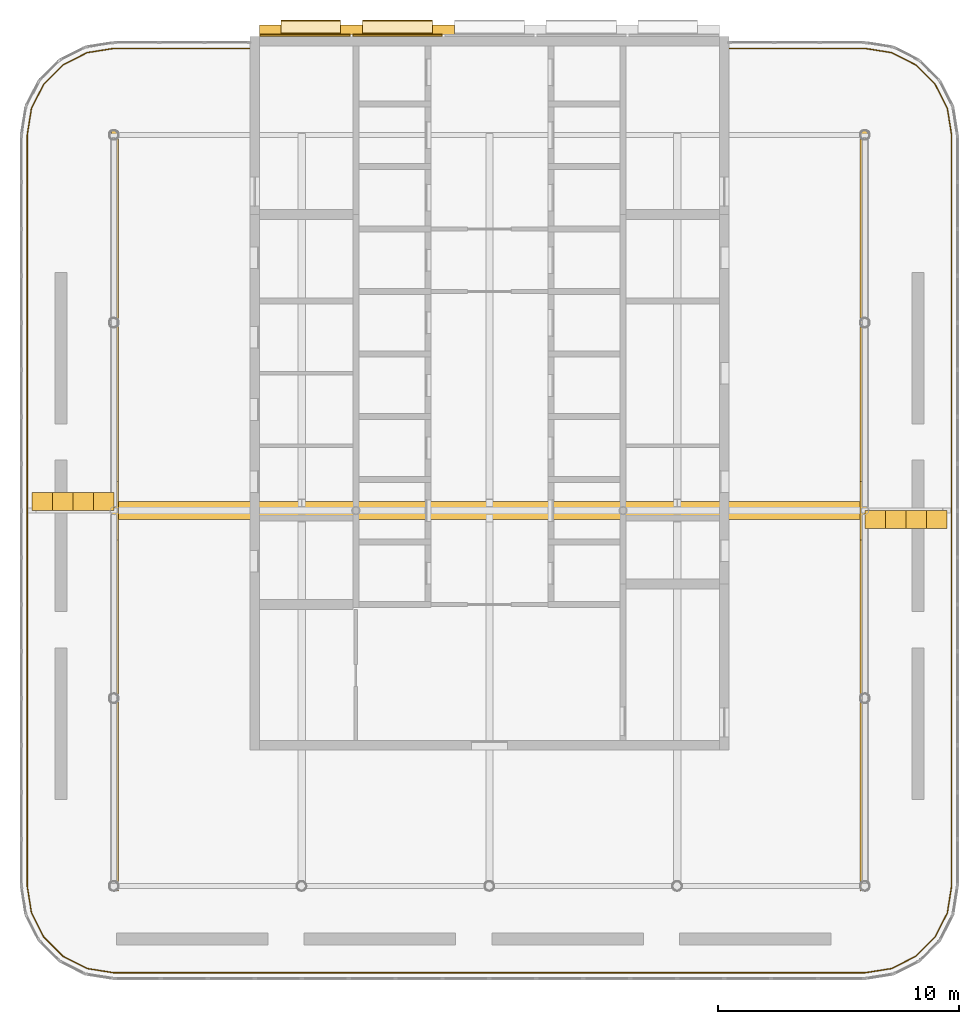
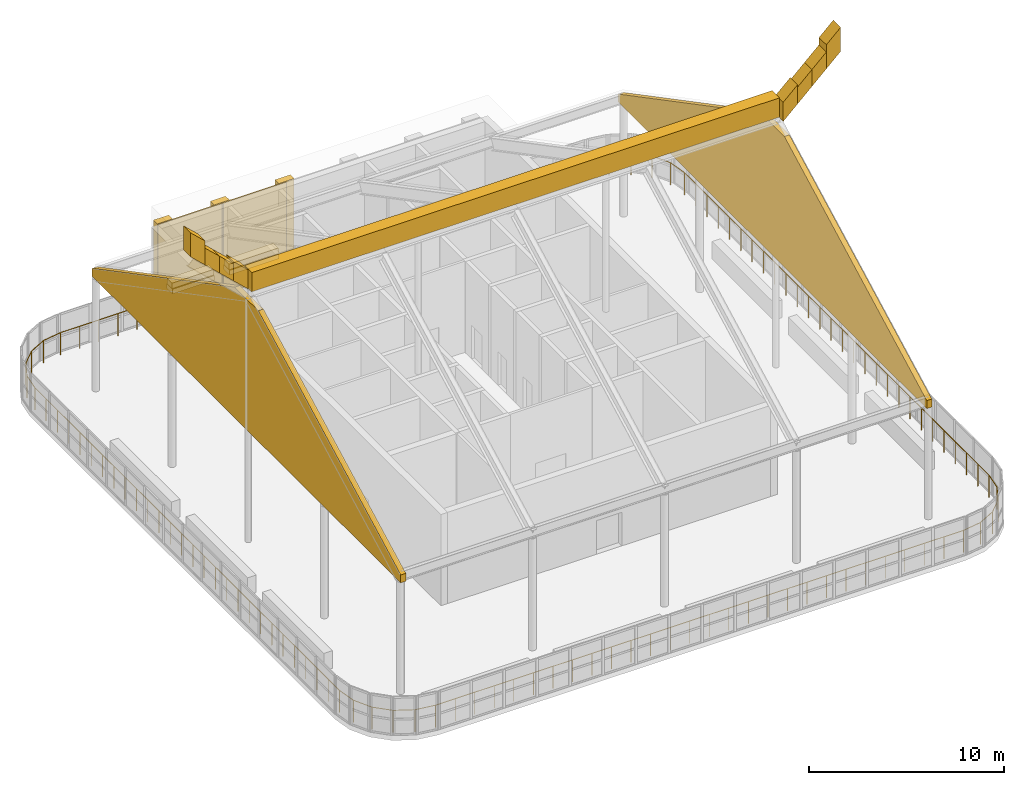
# One storey, part 18 of 19: 20 coverings, 1 railing.
"""IFC4 building model written with IfcOpenShell, lengths in metres."""

from ifc_helpers import new_model, si_unit, direction, frame, origin, origin_2d, place, context, subcontext, project, spatial, polyline, rectangle, circle, outline, extrude, material, layer, layer_set, type_object, element, save


model = new_model("IFC4")

# Units and contexts
model_context = context("Model", 3, precision=1e-05, world=origin(), true_north=direction((0.0, 1.0)))
body_context = subcontext(model_context, "Body", "Model", "MODEL_VIEW")
ifc_project = project(units=[si_unit("LENGTHUNIT", "METRE"), si_unit("AREAUNIT", "SQUARE_METRE"), si_unit("VOLUMEUNIT", "CUBIC_METRE"), si_unit("PLANEANGLEUNIT", "RADIAN"), si_unit("MASSUNIT", "GRAM", prefix="KILO")], contexts=[model_context])

# Site, building, storey
site_placement = place(None, origin())
site = spatial("IfcSite", under=ifc_project, at=site_placement, CompositionType="ELEMENT")
building_placement = place(site_placement, origin())
building = spatial("IfcBuilding", under=site, at=building_placement, Name="Ludao Terraces", CompositionType="ELEMENT")
storey_placement = place(building_placement, frame((0.0, 0.0, 266.39990234375)))
storey = spatial("IfcBuildingStorey", under=building, at=storey_placement, Name="L73", CompositionType="ELEMENT", Elevation=266.39990234375)

# Coverings
ifc_material_1 = material(Name="Aluminium ridge flashing", Category="aluminium")
ifc_layer_1 = layer(ifc_material_1, 0.75)
ifc_layer_set_1 = layer_set([ifc_layer_1], Name="ENV Canopy ridge crest 750x1200")
covering_type_1 = type_object("IfcCoveringType", Name="ENV Canopy ridge crest 750x1200", PredefinedType="ROOFING", material=ifc_layer_set_1)
covering_1_placement = place(storey_placement, frame((69.39990234375, 65.0, 16.94482421875), z_axis=(0.0, -1.0, 0.0), x_axis=(-0.728328972853, 0.0, 0.685227631742)))
element("IfcCovering", 1, at=covering_1_placement, inside=storey, type_object=covering_type_1, Name="Ridge crest W1", PredefinedType="ROOFING", context=body_context, shape_type="SweptSolid", body=[
    extrude(outline(polyline([(0.0, 0.0), (1.1668539180802457, 1.1102230246251565e-16), (0.3446142183703026, 0.8739592044855916), (-0.8222396997099433, 0.8739592044855915), (0.0, 0.0)])), origin(), (0.0, 0.0, -1.0), 0.75),
])
covering_2_placement = place(storey_placement, frame((68.550048828125, 65.0, 17.594482421875), z_axis=(0.0, -1.0, 0.0), x_axis=(-0.728427191519, 0.0, 0.685123220053)))
element("IfcCovering", 2, at=covering_2_placement, inside=storey, type_object=covering_type_1, Name="Ridge crest W2", PredefinedType="ROOFING", context=body_context, shape_type="SweptSolid", body=[
    extrude(outline(polyline([(0.0, 0.0), (1.1670317447613807, 0.0), (0.4476189104234906, 0.7648841188288651), (-0.71941283433789, 0.7648841188288651), (0.0, 0.0)])), origin(), (0.0, 0.0, -1.0), 0.75),
])
covering_3_placement = place(storey_placement, frame((67.699951171875, 65.0, 18.39404296875), z_axis=(0.0, -1.0, 0.0), x_axis=(-0.728328972853, 0.0, 0.685227631742)))
element("IfcCovering", 3, at=covering_3_placement, inside=storey, type_object=covering_type_1, Name="Ridge crest W3", PredefinedType="ROOFING", context=body_context, shape_type="SweptSolid", body=[
    extrude(outline(polyline([(0.0, 0.0), (1.1668539180802457, 1.1102230246251565e-16), (0.44749873827297093, 0.7646031697432439), (-0.7195224717095556, 0.7647809844338819), (0.0, 0.0)])), origin(), (0.0, 0.0, -1.0), 0.75),
])
covering_4_placement = place(storey_placement, frame((66.85009765625, 65.0, 19.643798828125), z_axis=(0.0, -1.0, 0.0), x_axis=(-0.728427191519, 0.0, 0.685123220053)))
element("IfcCovering", 4, at=covering_4_placement, inside=storey, type_object=covering_type_1, Name="Ridge crest W4", PredefinedType="ROOFING", context=body_context, shape_type="SweptSolid", body=[
    extrude(outline(polyline([(0.0, 0.0), (1.1670317447613807, 0.0), (0.1393469146818651, 1.0926407872784347), (-1.0276848300795156, 1.0926407872784347), (0.0, 0.0)])), origin(), (0.0, 0.0, -1.0), 0.75),
])
covering_5_placement = place(storey_placement, frame((100.60009765625, 65.0, 16.94482421875), z_axis=(0.0, 1.0, 0.0), x_axis=(0.728328972853, 0.0, 0.685227631742)))
element("IfcCovering", 5, at=covering_5_placement, inside=storey, type_object=covering_type_1, Name="Ridge crest E1", PredefinedType="ROOFING", context=body_context, shape_type="SweptSolid", body=[
    extrude(outline(polyline([(0.0, 0.0), (1.1668539180802457, 1.1102230246251565e-16), (0.3446142183703026, 0.8739592044855916), (-0.8222396997099433, 0.8739592044855915), (0.0, 0.0)])), origin(), (0.0, 0.0, -1.0), 0.75),
])
covering_6_placement = place(storey_placement, frame((101.449951171875, 65.0, 17.594482421875), z_axis=(0.0, 1.0, 0.0), x_axis=(0.728427191519, 0.0, 0.685123220053)))
element("IfcCovering", 6, at=covering_6_placement, inside=storey, type_object=covering_type_1, Name="Ridge crest E2", PredefinedType="ROOFING", context=body_context, shape_type="SweptSolid", body=[
    extrude(outline(polyline([(0.0, 0.0), (1.1670317447613807, 0.0), (0.4476189104234906, 0.7648841188288651), (-0.71941283433789, 0.7648841188288651), (0.0, 0.0)])), origin(), (0.0, 0.0, -1.0), 0.75),
])
covering_7_placement = place(storey_placement, frame((102.300048828125, 65.0, 18.39404296875), z_axis=(0.0, 1.0, 0.0), x_axis=(0.728328972853, 0.0, 0.685227631742)))
element("IfcCovering", 7, at=covering_7_placement, inside=storey, type_object=covering_type_1, Name="Ridge crest E3", PredefinedType="ROOFING", context=body_context, shape_type="SweptSolid", body=[
    extrude(outline(polyline([(0.0, 0.0), (1.1668539180802457, 1.1102230246251565e-16), (0.44749873827297093, 0.7646031697432439), (-0.7195224717095556, 0.7647809844338819), (0.0, 0.0)])), origin(), (0.0, 0.0, -1.0), 0.75),
])
covering_8_placement = place(storey_placement, frame((103.14990234375, 65.0, 19.643798828125), z_axis=(0.0, 1.0, 0.0), x_axis=(0.728427191519, 0.0, 0.685123220053)))
element("IfcCovering", 8, at=covering_8_placement, inside=storey, type_object=covering_type_1, Name="Ridge crest E4", PredefinedType="ROOFING", context=body_context, shape_type="SweptSolid", body=[
    extrude(outline(polyline([(0.0, 0.0), (1.1670317447613807, 0.0), (0.1393469146818651, 1.0926407872784347), (-1.0276848300795156, 1.0926407872784347), (0.0, 0.0)])), origin(), (0.0, 0.0, -1.0), 0.75),
])
covering_9_placement = place(storey_placement, frame((85.0, 65.0, 15.79541015625), z_axis=(0.0, 0.0, 1.0), x_axis=(1.0, 0.0, 0.0)))
element("IfcCovering", 9, at=covering_9_placement, inside=storey, type_object=covering_type_1, Name="CAN-RIDGE-CAP", PredefinedType="ROOFING", context=body_context, shape_type="SweptSolid", body=[
    extrude(rectangle(XDim=31.199951171875, YDim=0.75, at=origin_2d()), origin(), (0.0, 0.0, 1.0), 1.199951171875),
])
ifc_material_2 = material(Name="Granite cladding", Category="masonry")
ifc_layer_2 = layer(ifc_material_2, 0.39990234375)
ifc_layer_set_2 = layer_set([ifc_layer_2], Name="ENV Core pilaster stone 400")
covering_type_2 = type_object("IfcCoveringType", Name="ENV Core pilaster stone 400", PredefinedType="CLADDING", material=ifc_layer_set_2)
for number, where, z_axis, x_axis, name in (
    (10, (75.89990234375, 84.97998046875, 0.0), (0.0, 0.0, 1.0), (1.0, 0.0, 0.0), "CC-L73-PIL1"),
    (11, (79.27001953125, 84.97998046875, 0.0), (0.0, 0.0, 1.0), (1.0, 0.0, 0.0), "CC-L73-PIL2"),
    (12, (83.090087890625, 84.97998046875, 0.0), (0.0, 0.0, 1.0), (1.0, 0.0, 0.0), "CC-L73-PIL3"),
):
    element("IfcCovering", number, at=place(storey_placement, frame(where, z_axis=z_axis, x_axis=x_axis)), inside=storey, type_object=covering_type_2, Name=name, PredefinedType="CLADDING", context=body_context, shape_type="SweptSolid", body=[
        extrude(rectangle(XDim=0.89990234375, YDim=0.39990234375, at=origin_2d()), origin(), (0.0, 0.0, 1.0), 5.699951171875),
    ])
ifc_layer_3 = layer(ifc_material_2, 0.60009765625)
ifc_layer_set_3 = layer_set([ifc_layer_3], Name="ENV Core planting shelf stone 600")
covering_type_3 = type_object("IfcCoveringType", Name="ENV Core planting shelf stone 600", PredefinedType="CLADDING", material=ifc_layer_set_3)
covering_10_placement = place(storey_placement, frame((77.5849609375, 85.080078125, 1.0), z_axis=(0.0, 0.0, 1.0), x_axis=(1.0, 0.0, 0.0)))
element("IfcCovering", 13, at=covering_10_placement, inside=storey, type_object=covering_type_3, Name="CC-L73-SHELF1", PredefinedType="CLADDING", context=body_context, shape_type="SweptSolid", body=[
    extrude(rectangle(XDim=2.469970703125, YDim=0.60009765625, at=origin_2d()), origin(), (0.0, 0.0, 1.0), 0.300048828125),
])
covering_11_placement = place(storey_placement, frame((81.179931640625, 85.080078125, 1.0), z_axis=(0.0, 0.0, 1.0), x_axis=(1.0, 0.0, 0.0)))
element("IfcCovering", 14, at=covering_11_placement, inside=storey, type_object=covering_type_3, Name="CC-L73-SHELF2", PredefinedType="CLADDING", context=body_context, shape_type="SweptSolid", body=[
    extrude(rectangle(XDim=2.919921875, YDim=0.60009765625, at=origin_2d()), origin(), (0.0, 0.0, 1.0), 0.300048828125),
])
ifc_layer_4 = layer(ifc_material_2, 0.080078125)
ifc_layer_set_4 = layer_set([ifc_layer_4], Name="ENV Core stone cladding panel 80")
covering_type_4 = type_object("IfcCoveringType", Name="ENV Core stone cladding panel 80", PredefinedType="CLADDING", material=ifc_layer_set_4)
covering_12_placement = place(storey_placement, frame((77.3349609375, 84.739990234375, 0.0), z_axis=(0.0, 0.0, 1.0), x_axis=(1.0, 0.0, 0.0)))
element("IfcCovering", 15, at=covering_12_placement, inside=storey, type_object=covering_type_4, Name="CC-L73-CORE1", PredefinedType="CLADDING", context=body_context, shape_type="SweptSolid", body=[
    extrude(rectangle(XDim=3.77001953125, YDim=0.080078125, at=origin_2d()), origin(), (0.0, 0.0, 1.0), 5.699951171875),
])
covering_13_placement = place(storey_placement, frame((81.179931640625, 84.739990234375, 0.0), z_axis=(0.0, 0.0, 1.0), x_axis=(1.0, 0.0, 0.0)))
element("IfcCovering", 16, at=covering_13_placement, inside=storey, type_object=covering_type_4, Name="CC-L73-CORE2", PredefinedType="CLADDING", context=body_context, shape_type="SweptSolid", body=[
    extrude(rectangle(XDim=3.719970703125, YDim=0.080078125, at=origin_2d()), origin(), (0.0, 0.0, 1.0), 5.699951171875),
])

# Railing
ifc_material_3 = material(Name="Stainless steel 304", Category="steel")
railing_type = type_object("IfcRailingType", Name="ENV Deck windscreen guard 1400", PredefinedType="GUARDRAIL", material=ifc_material_3)
railing_placement = place(storey_placement, frame((94.949951171875, 84.199951171875, 0.0)))
element("IfcRailing", 17, at=railing_placement, inside=storey, type_object=railing_type, Name="Deck guard", PredefinedType="GUARDRAIL", context=body_context, shape_type="SweptSolid", body=[
    extrude(circle(Radius=0.02392578125, at=origin_2d()), frame((0.0, 0.0, 1.3759765625), z_axis=(1.0, 0.0, 0.0), x_axis=(0.0, 1.0, 0.0)), (0.0, 0.0, 1.0), 5.650146484375),
    extrude(circle(Radius=0.02392578125, at=origin_2d()), frame((5.650146484375, 0.0, 1.3759765625), z_axis=(0.987674922472, -0.156519160234, 0.0), x_axis=(0.156519160234, 0.987674922472, 0.0)), (0.0, 0.0, 1.0), 1.126220703125),
    extrude(circle(Radius=0.02392578125, at=origin_2d()), frame((6.762451171875, -0.17626953125, 1.3759765625), z_axis=(0.891064307356, -0.453877076041, 0.0), x_axis=(0.453877076041, 0.891064307356, 0.0)), (0.0, 0.0, 1.0), 1.12646484375),
    extrude(circle(Radius=0.02392578125, at=origin_2d()), frame((7.76611328125, -0.6875, 1.3759765625), z_axis=(0.707106781187, -0.707106781187, 0.0), x_axis=(0.707106781187, 0.707106781187, 0.0)), (0.0, 0.0, 1.0), 1.126220703125),
    extrude(circle(Radius=0.02392578125, at=origin_2d()), frame((8.5625, -1.48388671875, 1.3759765625), z_axis=(0.453877076041, -0.891064307356, 0.0), x_axis=(0.891064307356, 0.453877076041, 0.0)), (0.0, 0.0, 1.0), 1.12646484375),
    extrude(circle(Radius=0.02392578125, at=origin_2d()), frame((9.07373046875, -2.487548828125, 1.3759765625), z_axis=(0.156519160234, -0.987674922472, 0.0), x_axis=(0.987674922472, 0.156519160234, 0.0)), (0.0, 0.0, 1.0), 1.126220703125),
    extrude(circle(Radius=0.02392578125, at=origin_2d()), frame((9.25, -3.599853515625, 1.3759765625), z_axis=(0.0, -1.0, 0.0), x_axis=(1.0, 0.0, 0.0)), (0.0, 0.0, 1.0), 31.2001953125),
    extrude(circle(Radius=0.02392578125, at=origin_2d()), frame((9.25, -34.800048828125, 1.3759765625), z_axis=(-0.156519160234, -0.987674922472, 0.0), x_axis=(0.987674922472, -0.156519160234, 0.0)), (0.0, 0.0, 1.0), 1.126220703125),
    extrude(circle(Radius=0.02392578125, at=origin_2d()), frame((9.07373046875, -35.912353515625, 1.3759765625), z_axis=(-0.453877076041, -0.891064307356, 0.0), x_axis=(0.891064307356, -0.453877076041, 0.0)), (0.0, 0.0, 1.0), 1.12646484375),
    extrude(circle(Radius=0.02392578125, at=origin_2d()), frame((8.5625, -36.916015625, 1.3759765625), z_axis=(-0.707106781187, -0.707106781187, 0.0), x_axis=(0.707106781187, -0.707106781187, 0.0)), (0.0, 0.0, 1.0), 1.126220703125),
    extrude(circle(Radius=0.02392578125, at=origin_2d()), frame((7.76611328125, -37.71240234375, 1.3759765625), z_axis=(-0.891064307356, -0.453877076041, 0.0), x_axis=(0.453877076041, -0.891064307356, 0.0)), (0.0, 0.0, 1.0), 1.12646484375),
    extrude(circle(Radius=0.02392578125, at=origin_2d()), frame((6.762451171875, -38.2236328125, 1.3759765625), z_axis=(-0.987674922472, -0.156519160234, 0.0), x_axis=(0.156519160234, -0.987674922472, 0.0)), (0.0, 0.0, 1.0), 1.126220703125),
    extrude(circle(Radius=0.02392578125, at=origin_2d()), frame((5.650146484375, -38.39990234375, 1.3759765625), z_axis=(-1.0, 0.0, 0.0), x_axis=(0.0, -1.0, 0.0)), (0.0, 0.0, 1.0), 31.2001953125),
    extrude(circle(Radius=0.02392578125, at=origin_2d()), frame((-25.550048828125, -38.39990234375, 1.3759765625), z_axis=(-0.987674922472, 0.156519160234, 0.0), x_axis=(-0.156519160234, -0.987674922472, 0.0)), (0.0, 0.0, 1.0), 1.126220703125),
    extrude(circle(Radius=0.02392578125, at=origin_2d()), frame((-26.662353515625, -38.2236328125, 1.3759765625), z_axis=(-0.891064307356, 0.453877076041, 0.0), x_axis=(-0.453877076041, -0.891064307356, 0.0)), (0.0, 0.0, 1.0), 1.12646484375),
    extrude(circle(Radius=0.02392578125, at=origin_2d()), frame((-27.666015625, -37.71240234375, 1.3759765625), z_axis=(-0.707106781187, 0.707106781187, 0.0), x_axis=(-0.707106781187, -0.707106781187, 0.0)), (0.0, 0.0, 1.0), 1.126220703125),
    extrude(circle(Radius=0.02392578125, at=origin_2d()), frame((-28.46240234375, -36.916015625, 1.3759765625), z_axis=(-0.453877076041, 0.891064307356, 0.0), x_axis=(-0.891064307356, -0.453877076041, 0.0)), (0.0, 0.0, 1.0), 1.12646484375),
    extrude(circle(Radius=0.02392578125, at=origin_2d()), frame((-28.9736328125, -35.912353515625, 1.3759765625), z_axis=(-0.156519160234, 0.987674922472, 0.0), x_axis=(-0.987674922472, -0.156519160234, 0.0)), (0.0, 0.0, 1.0), 1.126220703125),
    extrude(circle(Radius=0.02392578125, at=origin_2d()), frame((-29.14990234375, -34.800048828125, 1.3759765625), z_axis=(0.0, 1.0, 0.0), x_axis=(-1.0, 0.0, 0.0)), (0.0, 0.0, 1.0), 31.2001953125),
    extrude(circle(Radius=0.02392578125, at=origin_2d()), frame((-29.14990234375, -3.599853515625, 1.3759765625), z_axis=(0.156519160234, 0.987674922472, 0.0), x_axis=(-0.987674922472, 0.156519160234, 0.0)), (0.0, 0.0, 1.0), 1.126220703125),
    extrude(circle(Radius=0.02392578125, at=origin_2d()), frame((-28.9736328125, -2.487548828125, 1.3759765625), z_axis=(0.453877076041, 0.891064307356, 0.0), x_axis=(-0.891064307356, 0.453877076041, 0.0)), (0.0, 0.0, 1.0), 1.12646484375),
    extrude(circle(Radius=0.02392578125, at=origin_2d()), frame((-28.46240234375, -1.48388671875, 1.3759765625), z_axis=(0.707106781187, 0.707106781187, 0.0), x_axis=(-0.707106781187, 0.707106781187, 0.0)), (0.0, 0.0, 1.0), 1.126220703125),
    extrude(circle(Radius=0.02392578125, at=origin_2d()), frame((-27.666015625, -0.6875, 1.3759765625), z_axis=(0.891064307356, 0.453877076041, 0.0), x_axis=(-0.453877076041, 0.891064307356, 0.0)), (0.0, 0.0, 1.0), 1.12646484375),
    extrude(circle(Radius=0.02392578125, at=origin_2d()), frame((-26.662353515625, -0.17626953125, 1.3759765625), z_axis=(0.987674922472, 0.156519160234, 0.0), x_axis=(-0.156519160234, 0.987674922472, 0.0)), (0.0, 0.0, 1.0), 1.126220703125),
    extrude(circle(Radius=0.02392578125, at=origin_2d()), frame((-25.550048828125, 0.0, 1.3759765625), z_axis=(1.0, 0.0, 0.0), x_axis=(0.0, 1.0, 0.0)), (0.0, 0.0, 1.0), 5.650146484375),
    extrude(circle(Radius=0.02099609375, at=origin_2d()), origin(), (0.0, 0.0, 1.0), 1.351806640625),
    extrude(circle(Radius=0.02099609375, at=origin_2d()), frame((1.130126953125, 0.0, 0.0)), (0.0, 0.0, 1.0), 1.351806640625),
    extrude(circle(Radius=0.02099609375, at=origin_2d()), frame((2.260009765625, 0.0, 0.0)), (0.0, 0.0, 1.0), 1.351806640625),
    extrude(circle(Radius=0.02099609375, at=origin_2d()), frame((3.39013671875, 0.0, 0.0)), (0.0, 0.0, 1.0), 1.351806640625),
    extrude(circle(Radius=0.02099609375, at=origin_2d()), frame((4.52001953125, 0.0, 0.0)), (0.0, 0.0, 1.0), 1.351806640625),
    extrude(circle(Radius=0.02099609375, at=origin_2d()), frame((5.650146484375, 0.0, 0.0)), (0.0, 0.0, 1.0), 1.351806640625),
    extrude(circle(Radius=0.02099609375, at=origin_2d()), frame((6.762451171875, -0.17626953125, 0.0)), (0.0, 0.0, 1.0), 1.351806640625),
    extrude(circle(Radius=0.02099609375, at=origin_2d()), frame((7.76611328125, -0.6875, 0.0)), (0.0, 0.0, 1.0), 1.351806640625),
    extrude(circle(Radius=0.02099609375, at=origin_2d()), frame((8.5625, -1.48388671875, 0.0)), (0.0, 0.0, 1.0), 1.351806640625),
    extrude(circle(Radius=0.02099609375, at=origin_2d()), frame((9.07373046875, -2.487548828125, 0.0)), (0.0, 0.0, 1.0), 1.351806640625),
    extrude(circle(Radius=0.02099609375, at=origin_2d()), frame((9.25, -3.599853515625, 0.0)), (0.0, 0.0, 1.0), 1.351806640625),
    extrude(circle(Radius=0.02099609375, at=origin_2d()), frame((9.25, -4.75537109375, 0.0)), (0.0, 0.0, 1.0), 1.351806640625),
    extrude(circle(Radius=0.02099609375, at=origin_2d()), frame((9.25, -5.910888671875, 0.0)), (0.0, 0.0, 1.0), 1.351806640625),
    extrude(circle(Radius=0.02099609375, at=origin_2d()), frame((9.25, -7.066650390625, 0.0)), (0.0, 0.0, 1.0), 1.351806640625),
    extrude(circle(Radius=0.02099609375, at=origin_2d()), frame((9.25, -8.22216796875, 0.0)), (0.0, 0.0, 1.0), 1.351806640625),
    extrude(circle(Radius=0.02099609375, at=origin_2d()), frame((9.25, -9.377685546875, 0.0)), (0.0, 0.0, 1.0), 1.351806640625),
    extrude(circle(Radius=0.02099609375, at=origin_2d()), frame((9.25, -10.533203125, 0.0)), (0.0, 0.0, 1.0), 1.351806640625),
    extrude(circle(Radius=0.02099609375, at=origin_2d()), frame((9.25, -11.688720703125, 0.0)), (0.0, 0.0, 1.0), 1.351806640625),
    extrude(circle(Radius=0.02099609375, at=origin_2d()), frame((9.25, -12.84423828125, 0.0)), (0.0, 0.0, 1.0), 1.351806640625),
    extrude(circle(Radius=0.02099609375, at=origin_2d()), frame((9.25, -14.0, 0.0)), (0.0, 0.0, 1.0), 1.351806640625),
    extrude(circle(Radius=0.02099609375, at=origin_2d()), frame((9.25, -15.155517578125, 0.0)), (0.0, 0.0, 1.0), 1.351806640625),
    extrude(circle(Radius=0.02099609375, at=origin_2d()), frame((9.25, -16.31103515625, 0.0)), (0.0, 0.0, 1.0), 1.351806640625),
    extrude(circle(Radius=0.02099609375, at=origin_2d()), frame((9.25, -17.466552734375, 0.0)), (0.0, 0.0, 1.0), 1.351806640625),
    extrude(circle(Radius=0.02099609375, at=origin_2d()), frame((9.25, -18.6220703125, 0.0)), (0.0, 0.0, 1.0), 1.351806640625),
    extrude(circle(Radius=0.02099609375, at=origin_2d()), frame((9.25, -19.77783203125, 0.0)), (0.0, 0.0, 1.0), 1.351806640625),
    extrude(circle(Radius=0.02099609375, at=origin_2d()), frame((9.25, -20.933349609375, 0.0)), (0.0, 0.0, 1.0), 1.351806640625),
    extrude(circle(Radius=0.02099609375, at=origin_2d()), frame((9.25, -22.0888671875, 0.0)), (0.0, 0.0, 1.0), 1.351806640625),
    extrude(circle(Radius=0.02099609375, at=origin_2d()), frame((9.25, -23.244384765625, 0.0)), (0.0, 0.0, 1.0), 1.351806640625),
    extrude(circle(Radius=0.02099609375, at=origin_2d()), frame((9.25, -24.39990234375, 0.0)), (0.0, 0.0, 1.0), 1.351806640625),
    extrude(circle(Radius=0.02099609375, at=origin_2d()), frame((9.25, -25.5556640625, 0.0)), (0.0, 0.0, 1.0), 1.351806640625),
    extrude(circle(Radius=0.02099609375, at=origin_2d()), frame((9.25, -26.711181640625, 0.0)), (0.0, 0.0, 1.0), 1.351806640625),
    extrude(circle(Radius=0.02099609375, at=origin_2d()), frame((9.25, -27.86669921875, 0.0)), (0.0, 0.0, 1.0), 1.351806640625),
    extrude(circle(Radius=0.02099609375, at=origin_2d()), frame((9.25, -29.022216796875, 0.0)), (0.0, 0.0, 1.0), 1.351806640625),
    extrude(circle(Radius=0.02099609375, at=origin_2d()), frame((9.25, -30.177734375, 0.0)), (0.0, 0.0, 1.0), 1.351806640625),
    extrude(circle(Radius=0.02099609375, at=origin_2d()), frame((9.25, -31.333251953125, 0.0)), (0.0, 0.0, 1.0), 1.351806640625),
    extrude(circle(Radius=0.02099609375, at=origin_2d()), frame((9.25, -32.489013671875, 0.0)), (0.0, 0.0, 1.0), 1.351806640625),
    extrude(circle(Radius=0.02099609375, at=origin_2d()), frame((9.25, -33.64453125, 0.0)), (0.0, 0.0, 1.0), 1.351806640625),
    extrude(circle(Radius=0.02099609375, at=origin_2d()), frame((9.25, -34.800048828125, 0.0)), (0.0, 0.0, 1.0), 1.351806640625),
    extrude(circle(Radius=0.02099609375, at=origin_2d()), frame((9.07373046875, -35.912353515625, 0.0)), (0.0, 0.0, 1.0), 1.351806640625),
    extrude(circle(Radius=0.02099609375, at=origin_2d()), frame((8.5625, -36.916015625, 0.0)), (0.0, 0.0, 1.0), 1.351806640625),
    extrude(circle(Radius=0.02099609375, at=origin_2d()), frame((7.76611328125, -37.71240234375, 0.0)), (0.0, 0.0, 1.0), 1.351806640625),
    extrude(circle(Radius=0.02099609375, at=origin_2d()), frame((6.762451171875, -38.2236328125, 0.0)), (0.0, 0.0, 1.0), 1.351806640625),
    extrude(circle(Radius=0.02099609375, at=origin_2d()), frame((5.650146484375, -38.39990234375, 0.0)), (0.0, 0.0, 1.0), 1.351806640625),
    extrude(circle(Radius=0.02099609375, at=origin_2d()), frame((4.49462890625, -38.39990234375, 0.0)), (0.0, 0.0, 1.0), 1.351806640625),
    extrude(circle(Radius=0.02099609375, at=origin_2d()), frame((3.339111328125, -38.39990234375, 0.0)), (0.0, 0.0, 1.0), 1.351806640625),
    extrude(circle(Radius=0.02099609375, at=origin_2d()), frame((2.183349609375, -38.39990234375, 0.0)), (0.0, 0.0, 1.0), 1.351806640625),
    extrude(circle(Radius=0.02099609375, at=origin_2d()), frame((1.02783203125, -38.39990234375, 0.0)), (0.0, 0.0, 1.0), 1.351806640625),
    extrude(circle(Radius=0.02099609375, at=origin_2d()), frame((-0.127685546875, -38.39990234375, 0.0)), (0.0, 0.0, 1.0), 1.351806640625),
    extrude(circle(Radius=0.02099609375, at=origin_2d()), frame((-1.283203125, -38.39990234375, 0.0)), (0.0, 0.0, 1.0), 1.351806640625),
    extrude(circle(Radius=0.02099609375, at=origin_2d()), frame((-2.438720703125, -38.39990234375, 0.0)), (0.0, 0.0, 1.0), 1.351806640625),
    extrude(circle(Radius=0.02099609375, at=origin_2d()), frame((-3.59423828125, -38.39990234375, 0.0)), (0.0, 0.0, 1.0), 1.351806640625),
    extrude(circle(Radius=0.02099609375, at=origin_2d()), frame((-4.75, -38.39990234375, 0.0)), (0.0, 0.0, 1.0), 1.351806640625),
    extrude(circle(Radius=0.02099609375, at=origin_2d()), frame((-5.905517578125, -38.39990234375, 0.0)), (0.0, 0.0, 1.0), 1.351806640625),
    extrude(circle(Radius=0.02099609375, at=origin_2d()), frame((-7.06103515625, -38.39990234375, 0.0)), (0.0, 0.0, 1.0), 1.351806640625),
    extrude(circle(Radius=0.02099609375, at=origin_2d()), frame((-8.216552734375, -38.39990234375, 0.0)), (0.0, 0.0, 1.0), 1.351806640625),
    extrude(circle(Radius=0.02099609375, at=origin_2d()), frame((-9.3720703125, -38.39990234375, 0.0)), (0.0, 0.0, 1.0), 1.351806640625),
    extrude(circle(Radius=0.02099609375, at=origin_2d()), frame((-10.52783203125, -38.39990234375, 0.0)), (0.0, 0.0, 1.0), 1.351806640625),
    extrude(circle(Radius=0.02099609375, at=origin_2d()), frame((-11.683349609375, -38.39990234375, 0.0)), (0.0, 0.0, 1.0), 1.351806640625),
    extrude(circle(Radius=0.02099609375, at=origin_2d()), frame((-12.8388671875, -38.39990234375, 0.0)), (0.0, 0.0, 1.0), 1.351806640625),
    extrude(circle(Radius=0.02099609375, at=origin_2d()), frame((-13.994384765625, -38.39990234375, 0.0)), (0.0, 0.0, 1.0), 1.351806640625),
    extrude(circle(Radius=0.02099609375, at=origin_2d()), frame((-15.14990234375, -38.39990234375, 0.0)), (0.0, 0.0, 1.0), 1.351806640625),
    extrude(circle(Radius=0.02099609375, at=origin_2d()), frame((-16.3056640625, -38.39990234375, 0.0)), (0.0, 0.0, 1.0), 1.351806640625),
    extrude(circle(Radius=0.02099609375, at=origin_2d()), frame((-17.461181640625, -38.39990234375, 0.0)), (0.0, 0.0, 1.0), 1.351806640625),
    extrude(circle(Radius=0.02099609375, at=origin_2d()), frame((-18.61669921875, -38.39990234375, 0.0)), (0.0, 0.0, 1.0), 1.351806640625),
    extrude(circle(Radius=0.02099609375, at=origin_2d()), frame((-19.772216796875, -38.39990234375, 0.0)), (0.0, 0.0, 1.0), 1.351806640625),
    extrude(circle(Radius=0.02099609375, at=origin_2d()), frame((-20.927734375, -38.39990234375, 0.0)), (0.0, 0.0, 1.0), 1.351806640625),
    extrude(circle(Radius=0.02099609375, at=origin_2d()), frame((-22.083251953125, -38.39990234375, 0.0)), (0.0, 0.0, 1.0), 1.351806640625),
    extrude(circle(Radius=0.02099609375, at=origin_2d()), frame((-23.239013671875, -38.39990234375, 0.0)), (0.0, 0.0, 1.0), 1.351806640625),
    extrude(circle(Radius=0.02099609375, at=origin_2d()), frame((-24.39453125, -38.39990234375, 0.0)), (0.0, 0.0, 1.0), 1.351806640625),
    extrude(circle(Radius=0.02099609375, at=origin_2d()), frame((-25.550048828125, -38.39990234375, 0.0)), (0.0, 0.0, 1.0), 1.351806640625),
    extrude(circle(Radius=0.02099609375, at=origin_2d()), frame((-26.662353515625, -38.2236328125, 0.0)), (0.0, 0.0, 1.0), 1.351806640625),
    extrude(circle(Radius=0.02099609375, at=origin_2d()), frame((-27.666015625, -37.71240234375, 0.0)), (0.0, 0.0, 1.0), 1.351806640625),
    extrude(circle(Radius=0.02099609375, at=origin_2d()), frame((-28.46240234375, -36.916015625, 0.0)), (0.0, 0.0, 1.0), 1.351806640625),
    extrude(circle(Radius=0.02099609375, at=origin_2d()), frame((-28.9736328125, -35.912353515625, 0.0)), (0.0, 0.0, 1.0), 1.351806640625),
    extrude(circle(Radius=0.02099609375, at=origin_2d()), frame((-29.14990234375, -34.800048828125, 0.0)), (0.0, 0.0, 1.0), 1.351806640625),
    extrude(circle(Radius=0.02099609375, at=origin_2d()), frame((-29.14990234375, -33.64453125, 0.0)), (0.0, 0.0, 1.0), 1.351806640625),
    extrude(circle(Radius=0.02099609375, at=origin_2d()), frame((-29.14990234375, -32.489013671875, 0.0)), (0.0, 0.0, 1.0), 1.351806640625),
    extrude(circle(Radius=0.02099609375, at=origin_2d()), frame((-29.14990234375, -31.333251953125, 0.0)), (0.0, 0.0, 1.0), 1.351806640625),
    extrude(circle(Radius=0.02099609375, at=origin_2d()), frame((-29.14990234375, -30.177734375, 0.0)), (0.0, 0.0, 1.0), 1.351806640625),
    extrude(circle(Radius=0.02099609375, at=origin_2d()), frame((-29.14990234375, -29.022216796875, 0.0)), (0.0, 0.0, 1.0), 1.351806640625),
    extrude(circle(Radius=0.02099609375, at=origin_2d()), frame((-29.14990234375, -27.86669921875, 0.0)), (0.0, 0.0, 1.0), 1.351806640625),
    extrude(circle(Radius=0.02099609375, at=origin_2d()), frame((-29.14990234375, -26.711181640625, 0.0)), (0.0, 0.0, 1.0), 1.351806640625),
    extrude(circle(Radius=0.02099609375, at=origin_2d()), frame((-29.14990234375, -25.5556640625, 0.0)), (0.0, 0.0, 1.0), 1.351806640625),
    extrude(circle(Radius=0.02099609375, at=origin_2d()), frame((-29.14990234375, -24.39990234375, 0.0)), (0.0, 0.0, 1.0), 1.351806640625),
    extrude(circle(Radius=0.02099609375, at=origin_2d()), frame((-29.14990234375, -23.244384765625, 0.0)), (0.0, 0.0, 1.0), 1.351806640625),
    extrude(circle(Radius=0.02099609375, at=origin_2d()), frame((-29.14990234375, -22.0888671875, 0.0)), (0.0, 0.0, 1.0), 1.351806640625),
    extrude(circle(Radius=0.02099609375, at=origin_2d()), frame((-29.14990234375, -20.933349609375, 0.0)), (0.0, 0.0, 1.0), 1.351806640625),
    extrude(circle(Radius=0.02099609375, at=origin_2d()), frame((-29.14990234375, -19.77783203125, 0.0)), (0.0, 0.0, 1.0), 1.351806640625),
    extrude(circle(Radius=0.02099609375, at=origin_2d()), frame((-29.14990234375, -18.6220703125, 0.0)), (0.0, 0.0, 1.0), 1.351806640625),
    extrude(circle(Radius=0.02099609375, at=origin_2d()), frame((-29.14990234375, -17.466552734375, 0.0)), (0.0, 0.0, 1.0), 1.351806640625),
    extrude(circle(Radius=0.02099609375, at=origin_2d()), frame((-29.14990234375, -16.31103515625, 0.0)), (0.0, 0.0, 1.0), 1.351806640625),
    extrude(circle(Radius=0.02099609375, at=origin_2d()), frame((-29.14990234375, -15.155517578125, 0.0)), (0.0, 0.0, 1.0), 1.351806640625),
    extrude(circle(Radius=0.02099609375, at=origin_2d()), frame((-29.14990234375, -14.0, 0.0)), (0.0, 0.0, 1.0), 1.351806640625),
    extrude(circle(Radius=0.02099609375, at=origin_2d()), frame((-29.14990234375, -12.84423828125, 0.0)), (0.0, 0.0, 1.0), 1.351806640625),
    extrude(circle(Radius=0.02099609375, at=origin_2d()), frame((-29.14990234375, -11.688720703125, 0.0)), (0.0, 0.0, 1.0), 1.351806640625),
    extrude(circle(Radius=0.02099609375, at=origin_2d()), frame((-29.14990234375, -10.533203125, 0.0)), (0.0, 0.0, 1.0), 1.351806640625),
    extrude(circle(Radius=0.02099609375, at=origin_2d()), frame((-29.14990234375, -9.377685546875, 0.0)), (0.0, 0.0, 1.0), 1.351806640625),
    extrude(circle(Radius=0.02099609375, at=origin_2d()), frame((-29.14990234375, -8.22216796875, 0.0)), (0.0, 0.0, 1.0), 1.351806640625),
    extrude(circle(Radius=0.02099609375, at=origin_2d()), frame((-29.14990234375, -7.066650390625, 0.0)), (0.0, 0.0, 1.0), 1.351806640625),
    extrude(circle(Radius=0.02099609375, at=origin_2d()), frame((-29.14990234375, -5.910888671875, 0.0)), (0.0, 0.0, 1.0), 1.351806640625),
    extrude(circle(Radius=0.02099609375, at=origin_2d()), frame((-29.14990234375, -4.75537109375, 0.0)), (0.0, 0.0, 1.0), 1.351806640625),
    extrude(circle(Radius=0.02099609375, at=origin_2d()), frame((-29.14990234375, -3.599853515625, 0.0)), (0.0, 0.0, 1.0), 1.351806640625),
    extrude(circle(Radius=0.02099609375, at=origin_2d()), frame((-28.9736328125, -2.487548828125, 0.0)), (0.0, 0.0, 1.0), 1.351806640625),
    extrude(circle(Radius=0.02099609375, at=origin_2d()), frame((-28.46240234375, -1.48388671875, 0.0)), (0.0, 0.0, 1.0), 1.351806640625),
    extrude(circle(Radius=0.02099609375, at=origin_2d()), frame((-27.666015625, -0.6875, 0.0)), (0.0, 0.0, 1.0), 1.351806640625),
    extrude(circle(Radius=0.02099609375, at=origin_2d()), frame((-26.662353515625, -0.17626953125, 0.0)), (0.0, 0.0, 1.0), 1.351806640625),
    extrude(circle(Radius=0.02099609375, at=origin_2d()), frame((-25.550048828125, 0.0, 0.0)), (0.0, 0.0, 1.0), 1.351806640625),
    extrude(circle(Radius=0.02099609375, at=origin_2d()), frame((-24.419921875, 0.0, 0.0)), (0.0, 0.0, 1.0), 1.351806640625),
    extrude(circle(Radius=0.02099609375, at=origin_2d()), frame((-23.2900390625, 0.0, 0.0)), (0.0, 0.0, 1.0), 1.351806640625),
    extrude(circle(Radius=0.02099609375, at=origin_2d()), frame((-22.159912109375, 0.0, 0.0)), (0.0, 0.0, 1.0), 1.351806640625),
    extrude(circle(Radius=0.02099609375, at=origin_2d()), frame((-21.030029296875, 0.0, 0.0)), (0.0, 0.0, 1.0), 1.351806640625),
    extrude(circle(Radius=0.02099609375, at=origin_2d()), frame((-19.89990234375, 0.0, 0.0)), (0.0, 0.0, 1.0), 1.351806640625),
])

# Coverings
ifc_layer_5 = layer(ifc_material_2, 0.300048828125)
ifc_layer_set_5 = layer_set([ifc_layer_5], Name="ENV Pediment stone panel 300")
covering_type_5 = type_object("IfcCoveringType", Name="ENV Pediment stone panel 300", PredefinedType="CLADDING", material=ifc_layer_set_5)
covering_14_placement = place(storey_placement, frame((69.300048828125, 49.199951171875, 7.490478515625), z_axis=(-1.0, 0.0, 0.0), x_axis=(0.0, 0.885166846467, 0.46527374084)))
element("IfcCovering", 18, at=covering_14_placement, inside=storey, type_object=covering_type_5, Name="Pediment W", PredefinedType="CLADDING", context=body_context, shape_type="SweptSolid", body=[
    extrude(outline(polyline([(0.0, 0.0), (16.478454540899516, 0.0), (18.627404521678855, 1.1295610544211954), (27.97135879044578, 14.70269564742086), (27.741107356685546, 15.140740861724934), (-0.23025143376023366, 0.4380452143040746), (0.0, 0.0)])), origin(), (0.0, 0.0, -1.0), 0.300048828125),
])
covering_15_placement = place(storey_placement, frame((100.699951171875, 49.199951171875, 6.99560546875), z_axis=(1.0, 0.0, 0.0), x_axis=(0.0, 1.0, 0.0)))
element("IfcCovering", 19, at=covering_15_placement, inside=storey, type_object=covering_type_5, Name="Pediment E", PredefinedType="CLADDING", context=body_context, shape_type="SweptSolid", body=[
    extrude(outline(polyline([(0.0, 0.0), (31.60009765625, 0.0), (31.60009765625, 0.494873046875), (17.013916015625, 8.161865234375), (14.586181640625, 8.161865234375), (0.0, 0.494873046875), (0.0, 0.0)])), origin(), (0.0, 0.0, -1.0), 0.300048828125),
])
ifc_material_4 = material(Name="Planting")
ifc_layer_6 = layer(ifc_material_4, 0.5)
ifc_layer_set_6 = layer_set([ifc_layer_6], Name="ENV Shelf planting bed 350")
covering_type_6 = type_object("IfcCoveringType", Name="ENV Shelf planting bed 350", PredefinedType="USERDEFINED", material=ifc_layer_set_6)
covering_16_placement = place(storey_placement, frame((77.5849609375, 85.080078125, 1.300048828125), z_axis=(0.0, 0.0, 1.0), x_axis=(1.0, 0.0, 0.0)))
element("IfcCovering", 20, at=covering_16_placement, inside=storey, type_object=covering_type_6, Name="Shelf planting bed L73 1", ObjectType="PLANTING", PredefinedType="USERDEFINED", context=body_context, shape_type="SweptSolid", body=[
    extrude(rectangle(XDim=2.469970703125, YDim=0.5, at=origin_2d()), origin(), (0.0, 0.0, 1.0), 0.35009765625),
])
covering_17_placement = place(storey_placement, frame((81.179931640625, 85.080078125, 1.300048828125), z_axis=(0.0, 0.0, 1.0), x_axis=(1.0, 0.0, 0.0)))
element("IfcCovering", 21, at=covering_17_placement, inside=storey, type_object=covering_type_6, Name="Shelf planting bed L73 2", ObjectType="PLANTING", PredefinedType="USERDEFINED", context=body_context, shape_type="SweptSolid", body=[
    extrude(rectangle(XDim=2.919921875, YDim=0.5, at=origin_2d()), origin(), (0.0, 0.0, 1.0), 0.35009765625),
])

save(model, "model.ifc")
